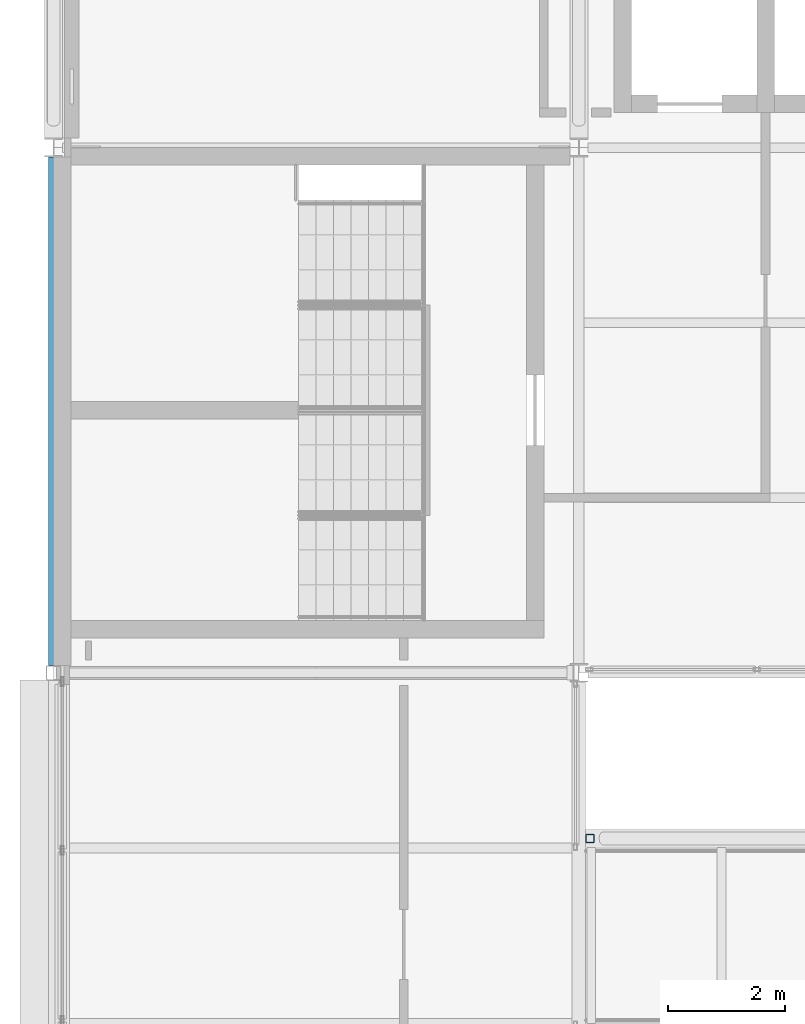
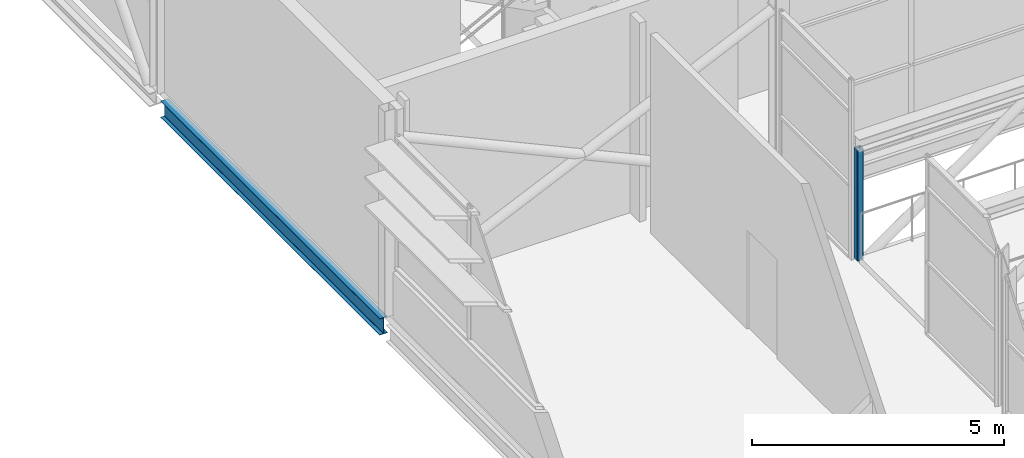
# One storey, part 23 of 94: 1 beam, 1 member.
"""IFC4 building model written with IfcOpenShell, lengths in metres."""

from ifc_helpers import new_model, si_unit, direction, frame, origin, origin_2d, place, context, subcontext, project, spatial, hollow_rectangle, i_section, extrude, material, material_profile, profile_set, type_object, element, save


model = new_model("IFC4")

# Units and contexts
model_context = context("Model", 3, precision=1e-05, world=origin(), true_north=direction((0.0, 1.0)))
body_context = subcontext(model_context, "Body", "Model", "MODEL_VIEW")
ifc_project = project(units=[si_unit("LENGTHUNIT", "METRE"), si_unit("AREAUNIT", "SQUARE_METRE"), si_unit("VOLUMEUNIT", "CUBIC_METRE"), si_unit("PLANEANGLEUNIT", "RADIAN"), si_unit("MASSUNIT", "GRAM", prefix="KILO")], contexts=[model_context])

# Site, building, storey
site_placement = place(None, origin())
site = spatial("IfcSite", under=ifc_project, at=site_placement, CompositionType="ELEMENT")
building_placement = place(site_placement, origin())
building = spatial("IfcBuilding", under=site, at=building_placement, Name="Shorebreak Coast Museum", CompositionType="ELEMENT")
storey_placement = place(building_placement, frame((0.0, 0.0, 31.0)))
storey = spatial("IfcBuildingStorey", under=building, at=storey_placement, Name="L05", CompositionType="ELEMENT", Elevation=31.0)

# Member
ifc_material_1 = material(Name="Steel Grade C450L0", Category="steel")
ifc_material_profile_1 = material_profile(ifc_material_1, hollow_rectangle(XDim=0.14990234375, YDim=0.14990234375, WallThickness=0.009033203125, InnerFilletRadius=0.013427734375, OuterFilletRadius=0.0224609375, at=origin_2d()), Name="150x150x9.0 SHS")
ifc_profile_set_1 = profile_set([ifc_material_profile_1], Name="Steel Grade C450L0")
member_type = type_object("IfcMemberType", Name="Atrium bridge truss strut 150x150x9.0 SHS", PredefinedType="STRUT", material=ifc_profile_set_1)
member_placement = place(storey_placement, frame((63.189453125, 78.16259765625, -0.175048828125), z_axis=(0.0, 0.0, 1.0), x_axis=(1.0, 0.0, 0.0)))
element("IfcMember", 1, at=member_placement, inside=storey, type_object=member_type, Name="Atrium bridge truss BR3 side B strut V01", PredefinedType="STRUT", context=body_context, shape_type="SweptSolid", body=[
    extrude(hollow_rectangle(XDim=0.14990234375, YDim=0.14990234375, WallThickness=0.009033203125, InnerFilletRadius=0.013427734375, OuterFilletRadius=0.0224609375, at=origin_2d()), origin(), (0.0, 0.0, 1.0), 2.692138671875),
])

# Beam
ifc_material_2 = material(Name="Steel Grade 300", Category="steel")
ifc_material_profile_2 = material_profile(ifc_material_2, i_section(OverallWidth=0.177978515625, OverallDepth=0.406494140625, WebThickness=0.0078125, FlangeThickness=0.0126953125, FilletRadius=0.011474609375, at=origin_2d()), Name="410UB59.7")
ifc_profile_set_2 = profile_set([ifc_material_profile_2], Name="Steel Grade 300")
beam_type = type_object("IfcBeamType", Name="Floor girder north-south 410UB59.7", PredefinedType="BEAM", material=ifc_profile_set_2)
beam_placement = place(storey_placement, frame((54.0, 81.125, -0.378173828125), z_axis=(0.0, 1.0, 0.0), x_axis=(-1.0, 0.0, 0.0)))
element("IfcBeam", 2, at=beam_placement, inside=storey, type_object=beam_type, Name="Floor girder north-south L05 7K", PredefinedType="BEAM", context=body_context, shape_type="SweptSolid", body=[
    extrude(i_section(OverallWidth=0.177978515625, OverallDepth=0.406494140625, WebThickness=0.0078125, FlangeThickness=0.0126953125, FilletRadius=0.011474609375, at=origin_2d()), origin(), (0.0, 0.0, 1.0), 8.71142578125),
])

save(model, "model.ifc")
